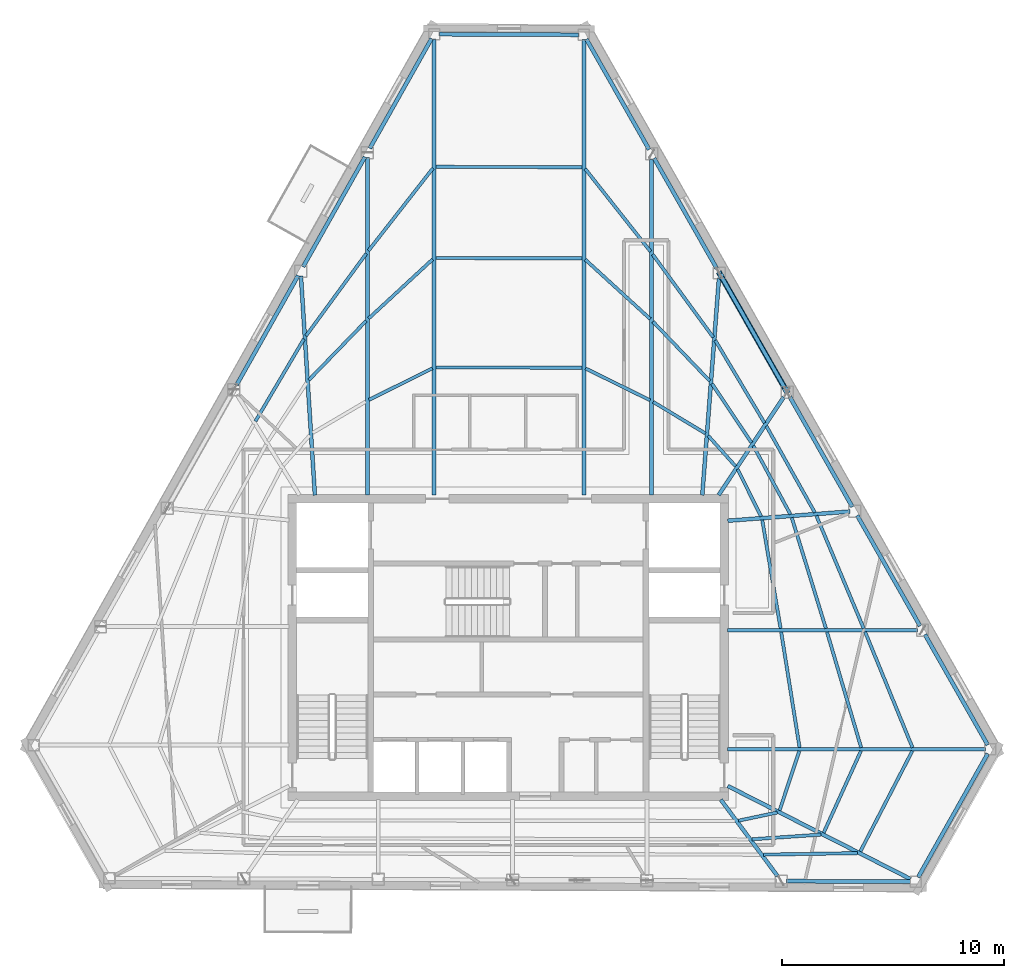
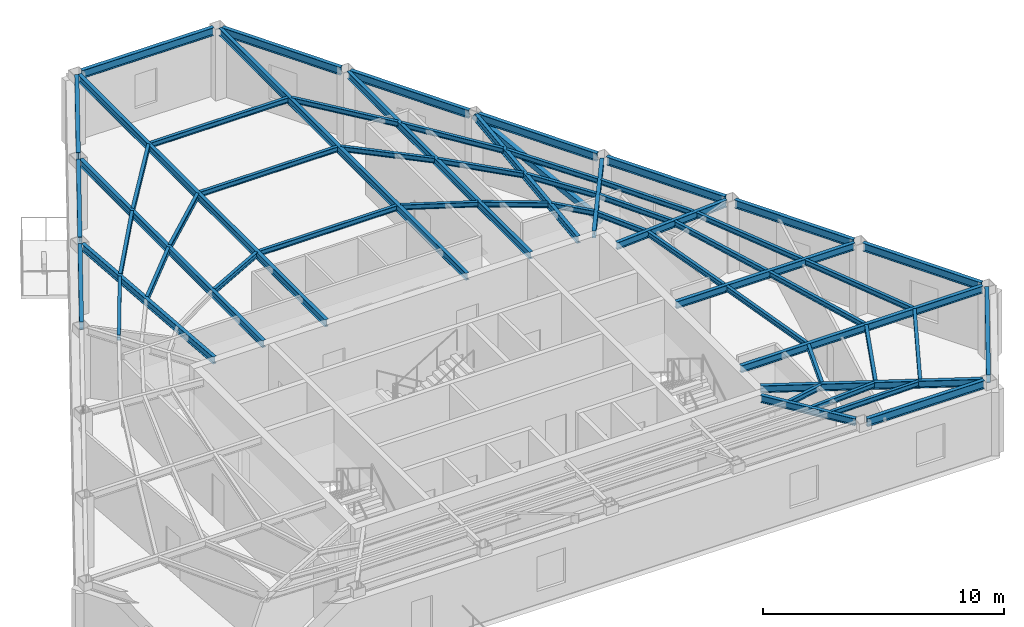
# One storey, part 2 of 10: 57 beams, 1 member.
"""IFC4 building model written with IfcOpenShell, lengths in metres."""

import ifcopenshell
import ifcopenshell.guid

model = None  # the IFC model being written
_history = None  # IfcOwnerHistory: only IFC2X3 demands one
_inside = {}  # id of a spatial element -> (the spatial element, [elements in it])
_under = {}  # id of a project, library or spatial element -> (it, [spatial elements below it])
_declared = {}  # id of a project -> (the project, [libraries it declares])
_typed = {}  # id of a type object -> (the type object, [elements of that type])
_made_of = {}  # id of a material, layer set ... -> (it, [elements and type objects made of it])


def new_model(schema):
    """Start an empty IFC model of exactly this schema.

    Asked for "IFC4X3", IfcOpenShell would pick the latest addendum, in which some entities
    have other attributes; the version numbers below select the first issue.
    IFC2X3 requires an IfcOwnerHistory on every rooted entity: one is made here for all.
    """
    global model, _history
    if schema == "IFC4X3":
        model = ifcopenshell.file(schema_version=(4, 3, 0, 0))
    else:
        model = ifcopenshell.file(schema=schema)
    _inside.clear()
    _under.clear()
    _declared.clear()
    _typed.clear()
    _made_of.clear()
    _history = None
    if model.schema == "IFC2X3":
        org = make("IfcOrganization", Name="unknown")
        user = make(
            "IfcPersonAndOrganization",
            ThePerson=make("IfcPerson", FamilyName="unknown"),
            TheOrganization=org,
        )
        app = make(
            "IfcApplication",
            ApplicationDeveloper=org,
            Version="unknown",
            ApplicationFullName="unknown",
            ApplicationIdentifier="unknown",
        )
        _history = make(
            "IfcOwnerHistory",
            OwningUser=user,
            OwningApplication=app,
            ChangeAction="ADDED",
            CreationDate=0,
        )
    return model


def make(cls, **values):
    """One entity of the class cls with the attributes given. An attribute that is None is left unset."""
    return model.create_entity(
        cls, **{name: value for name, value in values.items() if value is not None}
    )


def rooted(cls, **values):
    """An entity with a GlobalId (a new one), such as an element, a storey or a relation."""
    return make(cls, GlobalId=ifcopenshell.guid.new(), OwnerHistory=_history, **values)


def si_unit(unit_type, name, prefix=None):
    """IfcSIUnit, for example si_unit("LENGTHUNIT", "METRE", prefix="MILLI")."""
    return make("IfcSIUnit", UnitType=unit_type, Prefix=prefix, Name=name)


def assignment(units):
    """IfcUnitAssignment: the units of a project."""
    return None if units is None else make("IfcUnitAssignment", Units=units)


def point(xyz):
    """IfcCartesianPoint."""
    return None if xyz is None else make("IfcCartesianPoint", Coordinates=xyz)


def direction(xyz):
    """IfcDirection."""
    return None if xyz is None else make("IfcDirection", DirectionRatios=xyz)


def frame(location, z_axis=None, x_axis=None):
    """IfcAxis2Placement3D, a coordinate frame: its origin and axes. An axis left out is left unset."""
    return make(
        "IfcAxis2Placement3D",
        Location=point(location),
        Axis=direction(z_axis),
        RefDirection=direction(x_axis),
    )


def frame_2d(location, x_axis=None):
    """IfcAxis2Placement2D, a coordinate frame in the plane: its origin and x axis."""
    return make(
        "IfcAxis2Placement2D", Location=point(location), RefDirection=direction(x_axis)
    )


def origin():
    """The frame at (0, 0, 0) with its axes left unset."""
    return frame((0.0, 0.0, 0.0))


def origin_2d():
    """The frame at (0, 0) in the plane with its x axis left unset."""
    return frame_2d((0.0, 0.0))


def place(relative_to, where):
    """IfcLocalPlacement: puts the frame where relative to a parent placement (None: the world)."""
    return make(
        "IfcLocalPlacement", PlacementRelTo=relative_to, RelativePlacement=where
    )


def context(
    kind, dimensions, precision=None, world=None, true_north=None, identifier=None
):
    """IfcGeometricRepresentationContext, for example the 3D "Model" context."""
    return make(
        "IfcGeometricRepresentationContext",
        ContextIdentifier=identifier,
        ContextType=kind,
        CoordinateSpaceDimension=dimensions,
        Precision=precision,
        WorldCoordinateSystem=world,
        TrueNorth=true_north,
    )


def subcontext(parent, identifier, kind, view, scale=None):
    """IfcGeometricRepresentationSubContext, for example "Body" below "Model"."""
    return make(
        "IfcGeometricRepresentationSubContext",
        ContextIdentifier=identifier,
        ContextType=kind,
        ParentContext=parent,
        TargetScale=scale,
        TargetView=view,
    )


def project(units=None, contexts=None):
    """IfcProject with its units and contexts."""
    return rooted(
        "IfcProject",
        Name="project",
        RepresentationContexts=contexts,
        UnitsInContext=assignment(units),
    )


def spatial(cls, under=None, at=None, **own):
    """A site, building, storey or space (cls), placed at a placement, below another one or the project."""
    s = rooted(cls, ObjectPlacement=at, **own)
    if under is not None:
        _under.setdefault(under.id(), (under, []))[1].append(s)
    return s


def profile(cls, at=None, kind="AREA", **sizes):
    """A parametric profile (cls). Its sizes go by their IFC names, for example OverallWidth=200.0."""
    return make(cls, ProfileType=kind, Position=at, **sizes)


def hollow_rectangle(**sizes):
    """IfcRectangleHollowProfileDef."""
    return profile("IfcRectangleHollowProfileDef", **sizes)


def i_section(**sizes):
    """IfcIShapeProfileDef."""
    return profile("IfcIShapeProfileDef", **sizes)


def extrude(swept, where, along, depth):
    """IfcExtrudedAreaSolid: the profile swept, set in the frame where, extruded along a direction by depth."""
    return make(
        "IfcExtrudedAreaSolid",
        SweptArea=swept,
        Position=where,
        ExtrudedDirection=direction(along),
        Depth=depth,
    )


def shape(context_of_items, identifier, shape_type, items):
    """IfcShapeRepresentation: the items that make up one representation, for example the "Body"."""
    return make(
        "IfcShapeRepresentation",
        ContextOfItems=context_of_items,
        RepresentationIdentifier=identifier,
        RepresentationType=shape_type,
        Items=items,
    )


def material(Name=None, Category=None):
    """IfcMaterial."""
    return make("IfcMaterial", Name=Name, Category=Category)


def material_profile(
    of_material, cross_section, Name=None, Category=None, Priority=None
):
    """IfcMaterialProfile: a cross section and its material."""
    return make(
        "IfcMaterialProfile",
        Name=Name,
        Material=of_material,
        Profile=cross_section,
        Priority=Priority,
        Category=Category,
    )


def profile_set(profiles, Name=None, composite=None):
    """IfcMaterialProfileSet."""
    return make(
        "IfcMaterialProfileSet",
        Name=Name,
        MaterialProfiles=profiles,
        CompositeProfile=composite,
    )


def made_of(thing, what):
    """Note that an element or type object is made of a material, layer set ...; save() writes the relation."""
    if what is not None:
        _made_of.setdefault(what.id(), (what, []))[1].append(thing)
    return thing


def type_object(cls, material=None, **own):
    """A type object (cls), such as IfcWallType, which elements share."""
    return made_of(rooted(cls, **own), material)


def element(
    cls,
    number,
    at=None,
    inside=None,
    cuts=None,
    type_object=None,
    material=None,
    context=None,
    identifier="Body",
    shape_type=None,
    held_by="IfcProductDefinitionShape",
    body=None,
    shapes=None,
    **own,
):
    """One element of the class cls, such as IfcWall. Its Tag is "e" and its number.

    at: its placement. inside: the storey or other place that contains it. cuts: it is an
    opening in that element (IfcRelVoidsElement). A single representation is given by context,
    identifier, shape_type and body (its items); several are given by shapes. held_by: the class
    of the entity that holds the representations. save() writes the other relations.
    """
    e = rooted(cls, Tag="e%d" % number, ObjectPlacement=at, **own)
    if body is not None:
        shapes = [shape(context, identifier, shape_type, body)]
    if shapes is not None:
        e.Representation = make(held_by, Representations=shapes)
    if inside is not None:
        _inside.setdefault(inside.id(), (inside, []))[1].append(e)
    if cuts is not None:
        rooted(
            "IfcRelVoidsElement", RelatingBuildingElement=cuts, RelatedOpeningElement=e
        )
    if type_object is not None:
        _typed.setdefault(type_object.id(), (type_object, []))[1].append(e)
    return made_of(e, material)


def aggregate(whole, parts):
    """IfcRelAggregates: a whole, such as a stair, and the parts it consists of."""
    return rooted("IfcRelAggregates", RelatingObject=whole, RelatedObjects=parts)


def save(model, path):
    """Write the relations noted so far, then the file.

    IfcRelAggregates (storeys below a building ...), IfcRelContainedInSpatialStructure (elements
    in a storey), IfcRelDefinesByType, IfcRelAssociatesMaterial and IfcRelDeclares: one each for
    every whole, place, type object, material and project.
    """
    for whole, parts in _under.values():
        aggregate(whole, parts)
    for where, things in _inside.values():
        rooted(
            "IfcRelContainedInSpatialStructure",
            RelatedElements=things,
            RelatingStructure=where,
        )
    for kind, things in _typed.values():
        rooted("IfcRelDefinesByType", RelatedObjects=things, RelatingType=kind)
    for what, things in _made_of.values():
        rooted("IfcRelAssociatesMaterial", RelatedObjects=things, RelatingMaterial=what)
    for by, libraries in _declared.values():
        rooted("IfcRelDeclares", RelatingContext=by, RelatedDefinitions=libraries)
    model.write(path)


model = new_model("IFC4")

# Units and contexts
model_context = context("Model", 3, precision=1e-05, world=origin(), true_north=direction((0.0, 1.0)))
body_context = subcontext(model_context, "Body", "Model", "MODEL_VIEW")
ifc_project = project(units=[si_unit("LENGTHUNIT", "METRE"), si_unit("AREAUNIT", "SQUARE_METRE"), si_unit("VOLUMEUNIT", "CUBIC_METRE"), si_unit("PLANEANGLEUNIT", "RADIAN"), si_unit("MASSUNIT", "GRAM", prefix="KILO")], contexts=[model_context])

# Site, building, storey
site_placement = place(None, origin())
site = spatial("IfcSite", under=ifc_project, at=site_placement, CompositionType="ELEMENT")
building_placement = place(site_placement, origin())
building = spatial("IfcBuilding", under=site, at=building_placement, Name="Kavelnor Concourse Tower", CompositionType="ELEMENT")
storey_placement = place(building_placement, frame((0.0, 0.0, 239.5)))
storey = spatial("IfcBuildingStorey", under=building, at=storey_placement, Name="L60", CompositionType="ELEMENT", Elevation=239.5)

# Beams
ifc_material = material(Name="Steel Grade 350", Category="steel")
ifc_material_profile_1 = material_profile(ifc_material, i_section(OverallWidth=0.14599609375, OverallDepth=0.256103515625, WebThickness=0.00634765625, FlangeThickness=0.010986328125, at=origin_2d()), Name="250UB37")
ifc_profile_set_1 = profile_set([ifc_material_profile_1], Name="Steel Grade 350")
beam_type_1 = type_object("IfcBeamType", Name="BM-JOIST-250", PredefinedType="JOIST", material=ifc_profile_set_1)
beam_1_placement = place(storey_placement, frame((48.34228515625, 8.30810546875, 3.48193359375), z_axis=(0.978282973244, 0.207273790578, 0.0), x_axis=(-0.207273790578, 0.978282973244, 0.0)))
element("IfcBeam", 1, at=beam_1_placement, inside=storey, type_object=beam_type_1, Name="L60 Secondary Composite Joist 07-1", PredefinedType="JOIST", context=body_context, shape_type="SweptSolid", body=[
    extrude(i_section(OverallWidth=0.14599609375, OverallDepth=0.256103515625, WebThickness=0.00634765625, FlangeThickness=0.010986328125, at=origin_2d()), origin(), (0.0, 0.0, 1.0), 1.7822265625),
])
beam_2_placement = place(storey_placement, frame((48.956298828125, 7.472900390625, 3.48193359375), z_axis=(0.997688536925, 0.067952801924, 0.0), x_axis=(-0.067952801924, 0.997688536925, 0.0)))
element("IfcBeam", 2, at=beam_2_placement, inside=storey, type_object=beam_type_1, Name="L60 Secondary Composite Joist 07-2", PredefinedType="JOIST", context=body_context, shape_type="SweptSolid", body=[
    extrude(i_section(OverallWidth=0.14599609375, OverallDepth=0.256103515625, WebThickness=0.00634765625, FlangeThickness=0.010986328125, at=origin_2d()), origin(), (0.0, 0.0, 1.0), 3.107666015625),
])
beam_3_placement = place(storey_placement, frame((49.466796875, 6.7822265625, 3.48193359375), z_axis=(0.999866890912, 0.016315650702, 0.0), x_axis=(-0.016315650702, 0.999866890912, 0.0)))
element("IfcBeam", 3, at=beam_3_placement, inside=storey, type_object=beam_type_1, Name="L60 Secondary Composite Joist 07-3", PredefinedType="JOIST", context=body_context, shape_type="SweptSolid", body=[
    extrude(i_section(OverallWidth=0.14599609375, OverallDepth=0.256103515625, WebThickness=0.00634765625, FlangeThickness=0.010986328125, at=origin_2d()), origin(), (0.0, 0.0, 1.0), 4.234619140625),
])
beam_4_placement = place(storey_placement, frame((50.19189453125, 8.772216796875, 3.48193359375), z_axis=(0.314767800506, 0.949168705639, 0.0), x_axis=(-0.949168705639, 0.314767800506, 0.0)))
element("IfcBeam", 4, at=beam_4_placement, inside=storey, type_object=beam_type_1, Name="L60 Secondary Composite Joist 08-1", PredefinedType="JOIST", context=body_context, shape_type="SweptSolid", body=[
    extrude(i_section(OverallWidth=0.14599609375, OverallDepth=0.256103515625, WebThickness=0.00634765625, FlangeThickness=0.010986328125, at=origin_2d()), origin(), (0.0, 0.0, 1.0), 2.81005859375),
])
beam_5_placement = place(storey_placement, frame((52.1728515625, 7.764404296875, 3.48193359375), z_axis=(0.414344482157, 0.910120129492, 0.0), x_axis=(-0.910120129492, 0.414344482157, 0.0)))
element("IfcBeam", 5, at=beam_5_placement, inside=storey, type_object=beam_type_1, Name="L60 Secondary Composite Joist 08-2", PredefinedType="JOIST", context=body_context, shape_type="SweptSolid", body=[
    extrude(i_section(OverallWidth=0.14599609375, OverallDepth=0.256103515625, WebThickness=0.00634765625, FlangeThickness=0.010986328125, at=origin_2d()), origin(), (0.0, 0.0, 1.0), 4.04150390625),
])
beam_6_placement = place(storey_placement, frame((53.820556640625, 6.92529296875, 3.48193359375), z_axis=(0.459625213918, 0.888112978585, 0.0), x_axis=(-0.888112978585, 0.459625213918, 0.0)))
element("IfcBeam", 6, at=beam_6_placement, inside=storey, type_object=beam_type_1, Name="L60 Secondary Composite Joist 08-3", PredefinedType="JOIST", context=body_context, shape_type="SweptSolid", body=[
    extrude(i_section(OverallWidth=0.14599609375, OverallDepth=0.256103515625, WebThickness=0.00634765625, FlangeThickness=0.010986328125, at=origin_2d()), origin(), (0.0, 0.0, 1.0), 5.088623046875),
])
beam_7_placement = place(storey_placement, frame((51.08935546875, 11.598388671875, 3.48193359375), z_axis=(-0.157255053828, 0.987558022622, 0.0), x_axis=(-0.987558022622, -0.157255053828, 0.0)))
element("IfcBeam", 7, at=beam_7_placement, inside=storey, type_object=beam_type_1, Name="L60 Secondary Composite Joist 09-1", PredefinedType="JOIST", context=body_context, shape_type="SweptSolid", body=[
    extrude(i_section(OverallWidth=0.14599609375, OverallDepth=0.256103515625, WebThickness=0.00634765625, FlangeThickness=0.010986328125, at=origin_2d()), origin(), (0.0, 0.0, 1.0), 5.2568359375),
])
beam_8_placement = place(storey_placement, frame((53.858154296875, 11.595947265625, 3.48193359375), z_axis=(-0.283546742293, 0.958958416687, 0.0), x_axis=(-0.958958416687, -0.283546742293, 0.0)))
element("IfcBeam", 8, at=beam_8_placement, inside=storey, type_object=beam_type_1, Name="L60 Secondary Composite Joist 09-2", PredefinedType="JOIST", context=body_context, shape_type="SweptSolid", body=[
    extrude(i_section(OverallWidth=0.14599609375, OverallDepth=0.256103515625, WebThickness=0.00634765625, FlangeThickness=0.010986328125, at=origin_2d()), origin(), (0.0, 0.0, 1.0), 5.41845703125),
])
beam_9_placement = place(storey_placement, frame((56.166259765625, 11.59326171875, 3.48193359375), z_axis=(-0.378889909159, 0.925441752212, 0.0), x_axis=(-0.925441752212, -0.378889909159, 0.0)))
element("IfcBeam", 9, at=beam_9_placement, inside=storey, type_object=beam_type_1, Name="L60 Secondary Composite Joist 09-3", PredefinedType="JOIST", context=body_context, shape_type="SweptSolid", body=[
    extrude(i_section(OverallWidth=0.14599609375, OverallDepth=0.256103515625, WebThickness=0.00634765625, FlangeThickness=0.010986328125, at=origin_2d()), origin(), (0.0, 0.0, 1.0), 5.620849609375),
])
beam_10_placement = place(storey_placement, frame((50.236328125, 16.95166015625, 3.48193359375), z_axis=(-0.166783742421, 0.98599350062, 0.0), x_axis=(-0.98599350062, -0.166783742421, 0.0)))
element("IfcBeam", 10, at=beam_10_placement, inside=storey, type_object=beam_type_1, Name="L60 Secondary Composite Joist 10-1", PredefinedType="JOIST", context=body_context, shape_type="SweptSolid", body=[
    extrude(i_section(OverallWidth=0.14599609375, OverallDepth=0.256103515625, WebThickness=0.00634765625, FlangeThickness=0.010986328125, at=origin_2d()), origin(), (0.0, 0.0, 1.0), 4.9462890625),
])
beam_11_placement = place(storey_placement, frame((52.2744140625, 16.94921875, 3.48193359375), z_axis=(-0.294434722148, 0.95567159338, 0.0), x_axis=(-0.95567159338, -0.294434722148, 0.0)))
element("IfcBeam", 11, at=beam_11_placement, inside=storey, type_object=beam_type_1, Name="L60 Secondary Composite Joist 10-2", PredefinedType="JOIST", context=body_context, shape_type="SweptSolid", body=[
    extrude(i_section(OverallWidth=0.14599609375, OverallDepth=0.256103515625, WebThickness=0.00634765625, FlangeThickness=0.010986328125, at=origin_2d()), origin(), (0.0, 0.0, 1.0), 5.212158203125),
])
beam_12_placement = place(storey_placement, frame((53.973876953125, 16.9462890625, 3.48193359375), z_axis=(-0.387054324651, 0.922056912435, 0.0), x_axis=(-0.922056912435, -0.387054324651, 0.0)))
element("IfcBeam", 12, at=beam_12_placement, inside=storey, type_object=beam_type_1, Name="L60 Secondary Composite Joist 10-3", PredefinedType="JOIST", context=body_context, shape_type="SweptSolid", body=[
    extrude(i_section(OverallWidth=0.14599609375, OverallDepth=0.256103515625, WebThickness=0.00634765625, FlangeThickness=0.010986328125, at=origin_2d()), origin(), (0.0, 0.0, 1.0), 5.498291015625),
])
beam_13_placement = place(storey_placement, frame((49.361083984375, 21.98291015625, 3.48193359375), z_axis=(-0.445235964692, 0.895413276507, 0.0), x_axis=(-0.895413276507, -0.445235964692, 0.0)))
element("IfcBeam", 13, at=beam_13_placement, inside=storey, type_object=beam_type_1, Name="L60 Secondary Composite Joist 11-1", PredefinedType="JOIST", context=body_context, shape_type="SweptSolid", body=[
    extrude(i_section(OverallWidth=0.14599609375, OverallDepth=0.256103515625, WebThickness=0.00634765625, FlangeThickness=0.010986328125, at=origin_2d()), origin(), (0.0, 0.0, 1.0), 2.37158203125),
])
beam_14_placement = place(storey_placement, frame((50.676513671875, 22.080810546875, 3.48193359375), z_axis=(-0.475295586353, 0.879826179193, 0.0), x_axis=(-0.879826179193, -0.475295586353, 0.0)))
element("IfcBeam", 14, at=beam_14_placement, inside=storey, type_object=beam_type_1, Name="L60 Secondary Composite Joist 11-2", PredefinedType="JOIST", context=body_context, shape_type="SweptSolid", body=[
    extrude(i_section(OverallWidth=0.14599609375, OverallDepth=0.256103515625, WebThickness=0.00634765625, FlangeThickness=0.010986328125, at=origin_2d()), origin(), (0.0, 0.0, 1.0), 3.505126953125),
])
beam_15_placement = place(storey_placement, frame((51.773681640625, 22.1630859375, 3.48193359375), z_axis=(-0.488945696815, 0.872314224099, 0.0), x_axis=(-0.872314224099, -0.488945696815, 0.0)))
element("IfcBeam", 15, at=beam_15_placement, inside=storey, type_object=beam_type_1, Name="L60 Secondary Composite Joist 11-3", PredefinedType="JOIST", context=body_context, shape_type="SweptSolid", body=[
    extrude(i_section(OverallWidth=0.14599609375, OverallDepth=0.256103515625, WebThickness=0.00634765625, FlangeThickness=0.010986328125, at=origin_2d()), origin(), (0.0, 0.0, 1.0), 4.451416015625),
])
beam_16_placement = place(storey_placement, frame((48.2138671875, 24.240966796875, 3.48193359375), z_axis=(-0.667999877044, 0.744161383215, 0.0), x_axis=(-0.744161383215, -0.667999877044, 0.0)))
element("IfcBeam", 16, at=beam_16_placement, inside=storey, type_object=beam_type_1, Name="L60 Secondary Composite Joist 12-1", PredefinedType="JOIST", context=body_context, shape_type="SweptSolid", body=[
    extrude(i_section(OverallWidth=0.14599609375, OverallDepth=0.256103515625, WebThickness=0.00634765625, FlangeThickness=0.010986328125, at=origin_2d()), origin(), (0.0, 0.0, 1.0), 1.846435546875),
])
beam_17_placement = place(storey_placement, frame((48.92578125, 25.304931640625, 3.48193359375), z_axis=(-0.556660822661, 0.830739868138, 0.0), x_axis=(-0.830739868138, -0.556660822661, 0.0)))
element("IfcBeam", 17, at=beam_17_placement, inside=storey, type_object=beam_type_1, Name="L60 Secondary Composite Joist 12-2", PredefinedType="JOIST", context=body_context, shape_type="SweptSolid", body=[
    extrude(i_section(OverallWidth=0.14599609375, OverallDepth=0.256103515625, WebThickness=0.00634765625, FlangeThickness=0.010986328125, at=origin_2d()), origin(), (0.0, 0.0, 1.0), 3.187255859375),
])
beam_18_placement = place(storey_placement, frame((49.514892578125, 26.18798828125, 3.48193359375), z_axis=(-0.512220626716, 0.85885390467, 0.0), x_axis=(-0.85885390467, -0.512220626716, 0.0)))
element("IfcBeam", 18, at=beam_18_placement, inside=storey, type_object=beam_type_1, Name="L60 Secondary Composite Joist 12-3", PredefinedType="JOIST", context=body_context, shape_type="SweptSolid", body=[
    extrude(i_section(OverallWidth=0.14599609375, OverallDepth=0.256103515625, WebThickness=0.00634765625, FlangeThickness=0.010986328125, at=origin_2d()), origin(), (0.0, 0.0, 1.0), 4.327392578125),
])
beam_19_placement = place(storey_placement, frame((46.85546875, 25.71826171875, 3.48193359375), z_axis=(-0.856382024756, 0.516342742445, 0.0), x_axis=(-0.516342742445, -0.856382024756, 0.0)))
element("IfcBeam", 19, at=beam_19_placement, inside=storey, type_object=beam_type_1, Name="L60 Secondary Composite Joist 13-1", PredefinedType="JOIST", context=body_context, shape_type="SweptSolid", body=[
    extrude(i_section(OverallWidth=0.14599609375, OverallDepth=0.256103515625, WebThickness=0.00634765625, FlangeThickness=0.010986328125, at=origin_2d()), origin(), (0.0, 0.0, 1.0), 2.739013671875),
])
beam_20_placement = place(storey_placement, frame((47.04931640625, 28.080078125, 3.48193359375), z_axis=(-0.691728623725, 0.722157538989, 0.0), x_axis=(-0.722157538989, -0.691728623725, 0.0)))
element("IfcBeam", 20, at=beam_20_placement, inside=storey, type_object=beam_type_1, Name="L60 Secondary Composite Joist 13-2", PredefinedType="JOIST", context=body_context, shape_type="SweptSolid", body=[
    extrude(i_section(OverallWidth=0.14599609375, OverallDepth=0.256103515625, WebThickness=0.00634765625, FlangeThickness=0.010986328125, at=origin_2d()), origin(), (0.0, 0.0, 1.0), 3.690673828125),
])
beam_21_placement = place(storey_placement, frame((47.2080078125, 30.041259765625, 3.48193359375), z_axis=(-0.590031195474, 0.807380448344, 0.0), x_axis=(-0.807380448344, -0.590031195474, 0.0)))
element("IfcBeam", 21, at=beam_21_placement, inside=storey, type_object=beam_type_1, Name="L60 Secondary Composite Joist 13-3", PredefinedType="JOIST", context=body_context, shape_type="SweptSolid", body=[
    extrude(i_section(OverallWidth=0.14599609375, OverallDepth=0.256103515625, WebThickness=0.00634765625, FlangeThickness=0.010986328125, at=origin_2d()), origin(), (0.0, 0.0, 1.0), 4.60986328125),
])
beam_22_placement = place(storey_placement, frame((44.365966796875, 27.2109375, 3.48193359375), z_axis=(-0.897117660177, 0.441791697296, 0.0), x_axis=(-0.441791697296, -0.897117660177, 0.0)))
element("IfcBeam", 22, at=beam_22_placement, inside=storey, type_object=beam_type_1, Name="L60 Secondary Composite Joist 14-1", PredefinedType="JOIST", context=body_context, shape_type="SweptSolid", body=[
    extrude(i_section(OverallWidth=0.14599609375, OverallDepth=0.256103515625, WebThickness=0.00634765625, FlangeThickness=0.010986328125, at=origin_2d()), origin(), (0.0, 0.0, 1.0), 3.22900390625),
])
beam_23_placement = place(storey_placement, frame((44.379150390625, 30.860107421875, 3.48193359375), z_axis=(-0.737959526629, 0.67484497261, 0.0), x_axis=(-0.67484497261, -0.737959526629, 0.0)))
element("IfcBeam", 23, at=beam_23_placement, inside=storey, type_object=beam_type_1, Name="L60 Secondary Composite Joist 14-2", PredefinedType="JOIST", context=body_context, shape_type="SweptSolid", body=[
    extrude(i_section(OverallWidth=0.14599609375, OverallDepth=0.256103515625, WebThickness=0.00634765625, FlangeThickness=0.010986328125, at=origin_2d()), origin(), (0.0, 0.0, 1.0), 3.9609375),
])
beam_24_placement = place(storey_placement, frame((44.388916015625, 33.893798828125, 3.48193359375), z_axis=(-0.619797667292, 0.784761652745, 0.0), x_axis=(-0.784761652745, -0.619797667292, 0.0)))
element("IfcBeam", 24, at=beam_24_placement, inside=storey, type_object=beam_type_1, Name="L60 Secondary Composite Joist 14-3", PredefinedType="JOIST", context=body_context, shape_type="SweptSolid", body=[
    extrude(i_section(OverallWidth=0.14599609375, OverallDepth=0.256103515625, WebThickness=0.00634765625, FlangeThickness=0.010986328125, at=origin_2d()), origin(), (0.0, 0.0, 1.0), 4.747802734375),
])
for number, where, z_axis, x_axis, name in (
    (25, (41.313720703125, 28.673828125, 3.48193359375), (-0.999999293856, 0.001188397423, 0.0), (-0.001188397423, -0.999999293856, 0.0), "L60 Secondary Composite Joist 15-1"),
    (26, (41.313720703125, 33.588623046875, 3.48193359375), (-0.999997599529, 0.002191104036, 0.0), (-0.002191104036, -0.999997599529, 0.0), "L60 Secondary Composite Joist 15-2"),
    (27, (41.313720703125, 37.68408203125, 3.48193359375), (-0.999995363196, 0.003045256426, 0.0), (-0.003045256426, -0.999995363196, 0.0), "L60 Secondary Composite Joist 15-3"),
):
    element("IfcBeam", number, at=place(storey_placement, frame(where, z_axis=z_axis, x_axis=x_axis)), inside=storey, type_object=beam_type_1, Name=name, PredefinedType="JOIST", context=body_context, shape_type="SweptSolid", body=[
        extrude(i_section(OverallWidth=0.14599609375, OverallDepth=0.256103515625, WebThickness=0.00634765625, FlangeThickness=0.010986328125, at=origin_2d()), origin(), (0.0, 0.0, 1.0), 6.573974609375),
    ])
beam_25_placement = place(storey_placement, frame((34.584228515625, 28.645263671875, 3.48193359375), z_axis=(-0.895390775922, -0.445281212711, 0.0), x_axis=(0.445281212711, -0.895390775922, 0.0)))
element("IfcBeam", 28, at=beam_25_placement, inside=storey, type_object=beam_type_1, Name="L60 Secondary Composite Joist 16-1", PredefinedType="JOIST", context=body_context, shape_type="SweptSolid", body=[
    extrude(i_section(OverallWidth=0.14599609375, OverallDepth=0.256103515625, WebThickness=0.00634765625, FlangeThickness=0.010986328125, at=origin_2d()), origin(), (0.0, 0.0, 1.0), 3.185546875),
])
beam_26_placement = place(storey_placement, frame((34.597412109375, 33.547607421875, 3.48193359375), z_axis=(-0.734617104443, -0.678481915646, 0.0), x_axis=(0.678481915646, -0.734617104443, 0.0)))
element("IfcBeam", 29, at=beam_26_placement, inside=storey, type_object=beam_type_1, Name="L60 Secondary Composite Joist 16-2", PredefinedType="JOIST", context=body_context, shape_type="SweptSolid", body=[
    extrude(i_section(OverallWidth=0.14599609375, OverallDepth=0.256103515625, WebThickness=0.00634765625, FlangeThickness=0.010986328125, at=origin_2d()), origin(), (0.0, 0.0, 1.0), 3.918701171875),
])
beam_27_placement = place(storey_placement, frame((34.607177734375, 37.639892578125, 3.48193359375), z_axis=(-0.616018581895, -0.787731621023, 0.0), x_axis=(0.787731621023, -0.616018581895, 0.0)))
element("IfcBeam", 30, at=beam_27_placement, inside=storey, type_object=beam_type_1, Name="L60 Secondary Composite Joist 16-3", PredefinedType="JOIST", context=body_context, shape_type="SweptSolid", body=[
    extrude(i_section(OverallWidth=0.14599609375, OverallDepth=0.256103515625, WebThickness=0.00634765625, FlangeThickness=0.010986328125, at=origin_2d()), origin(), (0.0, 0.0, 1.0), 4.704833984375),
])
beam_28_placement = place(storey_placement, frame((31.601318359375, 30.7744140625, 3.48193359375), z_axis=(-0.695845307236, -0.71819169335, 0.0), x_axis=(0.71819169335, -0.695845307236, 0.0)))
element("IfcBeam", 31, at=beam_28_placement, inside=storey, type_object=beam_type_1, Name="L60 Secondary Composite Joist 17-2", PredefinedType="JOIST", context=body_context, shape_type="SweptSolid", body=[
    extrude(i_section(OverallWidth=0.14599609375, OverallDepth=0.256103515625, WebThickness=0.00634765625, FlangeThickness=0.010986328125, at=origin_2d()), origin(), (0.0, 0.0, 1.0), 3.692626953125),
])
beam_29_placement = place(storey_placement, frame((31.610107421875, 33.802978515625, 3.48193359375), z_axis=(-0.590966991219, -0.806695738981, 0.0), x_axis=(0.806695738981, -0.590966991219, 0.0)))
element("IfcBeam", 32, at=beam_29_placement, inside=storey, type_object=beam_type_1, Name="L60 Secondary Composite Joist 17-3", PredefinedType="JOIST", context=body_context, shape_type="SweptSolid", body=[
    extrude(i_section(OverallWidth=0.14599609375, OverallDepth=0.256103515625, WebThickness=0.00634765625, FlangeThickness=0.010986328125, at=origin_2d()), origin(), (0.0, 0.0, 1.0), 4.590087890625),
])
beam_30_placement = place(storey_placement, frame((28.807373046875, 29.963134765625, 3.48193359375), z_axis=(-0.507929819998, -0.861398454815, 0.0), x_axis=(0.861398454815, -0.507929819998, 0.0)))
element("IfcBeam", 33, at=beam_30_placement, inside=storey, type_object=beam_type_1, Name="L60 Secondary Composite Joist 18-3", PredefinedType="JOIST", context=body_context, shape_type="SweptSolid", body=[
    extrude(i_section(OverallWidth=0.14599609375, OverallDepth=0.256103515625, WebThickness=0.00634765625, FlangeThickness=0.010986328125, at=origin_2d()), origin(), (0.0, 0.0, 1.0), 4.291259765625),
])
ifc_material_profile_2 = material_profile(ifc_material, i_section(OverallWidth=0.172119140625, OverallDepth=0.35888671875, WebThickness=0.008056640625, FlangeThickness=0.012939453125, at=origin_2d()), Name="360UB56")
ifc_profile_set_2 = profile_set([ifc_material_profile_2], Name="Steel Grade 350")
beam_type_2 = type_object("IfcBeamType", Name="BM-PRIMARY-360", PredefinedType="BEAM", material=ifc_profile_set_2)
beam_31_placement = place(storey_placement, frame((34.65771484375, 22.93994140625, 3.430419921875), z_axis=(0.0, 1.0, 0.0), x_axis=(-1.0, 0.0, 0.0)))
element("IfcBeam", 34, at=beam_31_placement, inside=storey, type_object=beam_type_2, Name="L60 Primary Floor Girder F0-B0", PredefinedType="BEAM", context=body_context, shape_type="SweptSolid", body=[
    extrude(i_section(OverallWidth=0.172119140625, OverallDepth=0.35888671875, WebThickness=0.008056640625, FlangeThickness=0.012939453125, at=origin_2d()), origin(), (0.0, 0.0, 1.0), 20.506103515625),
])
beam_32_placement = place(storey_placement, frame((31.658447265625, 22.93994140625, 3.430419921875), z_axis=(0.0, 1.0, 0.0), x_axis=(-1.0, 0.0, 0.0)))
element("IfcBeam", 35, at=beam_32_placement, inside=storey, type_object=beam_type_2, Name="L60 Primary Floor Girder F0-B1", PredefinedType="BEAM", context=body_context, shape_type="SweptSolid", body=[
    extrude(i_section(OverallWidth=0.172119140625, OverallDepth=0.35888671875, WebThickness=0.008056640625, FlangeThickness=0.012939453125, at=origin_2d()), origin(), (0.0, 0.0, 1.0), 15.179443359375),
])
beam_33_placement = place(storey_placement, frame((29.301025390625, 22.940185546875, 3.430419921875), z_axis=(-0.063580674044, 0.997976702077, 0.0), x_axis=(-0.997976702077, -0.063580674044, 0.0)))
element("IfcBeam", 36, at=beam_33_placement, inside=storey, type_object=beam_type_2, Name="L60 Primary Floor Girder F0-B2", PredefinedType="BEAM", context=body_context, shape_type="SweptSolid", body=[
    extrude(i_section(OverallWidth=0.172119140625, OverallDepth=0.35888671875, WebThickness=0.008056640625, FlangeThickness=0.012939453125, at=origin_2d()), origin(), (0.0, 0.0, 1.0), 9.872314453125),
])
beam_34_placement = place(storey_placement, frame((47.547607421875, 9.252197265625, 3.430419921875), z_axis=(0.596587769962, -0.802547838283, 0.0), x_axis=(0.802547838283, 0.596587769962, 0.0)))
element("IfcBeam", 37, at=beam_34_placement, inside=storey, type_object=beam_type_2, Name="L60 Primary Floor Girder F1-B5", PredefinedType="BEAM", context=body_context, shape_type="SweptSolid", body=[
    extrude(i_section(OverallWidth=0.172119140625, OverallDepth=0.35888671875, WebThickness=0.008056640625, FlangeThickness=0.012939453125, at=origin_2d()), origin(), (0.0, 0.0, 1.0), 4.27685546875),
])
beam_35_placement = place(storey_placement, frame((47.864501953125, 9.866455078125, 3.430419921875), z_axis=(0.891115832961, -0.453775905317, 0.0), x_axis=(0.453775905317, 0.891115832961, 0.0)))
element("IfcBeam", 38, at=beam_35_placement, inside=storey, type_object=beam_type_2, Name="L60 Primary Floor Girder F1-B6", PredefinedType="BEAM", context=body_context, shape_type="SweptSolid", body=[
    extrude(i_section(OverallWidth=0.172119140625, OverallDepth=0.35888671875, WebThickness=0.008056640625, FlangeThickness=0.012939453125, at=origin_2d()), origin(), (0.0, 0.0, 1.0), 9.224365234375),
])
beam_36_placement = place(storey_placement, frame((47.860107421875, 11.517333984375, 3.430419921875), z_axis=(1.0, 0.0, 0.0), x_axis=(0.0, 1.0, 0.0)))
element("IfcBeam", 39, at=beam_36_placement, inside=storey, type_object=beam_type_2, Name="L60 Primary Floor Girder F2-B0", PredefinedType="BEAM", context=body_context, shape_type="SweptSolid", body=[
    extrude(i_section(OverallWidth=0.172119140625, OverallDepth=0.35888671875, WebThickness=0.008056640625, FlangeThickness=0.012939453125, at=origin_2d()), origin(), (0.0, 0.0, 1.0), 11.579345703125),
])
beam_37_placement = place(storey_placement, frame((47.860107421875, 16.87060546875, 3.430419921875), z_axis=(1.0, 0.0, 0.0), x_axis=(0.0, 1.0, 0.0)))
element("IfcBeam", 40, at=beam_37_placement, inside=storey, type_object=beam_type_2, Name="L60 Primary Floor Girder F2-B1", PredefinedType="BEAM", context=body_context, shape_type="SweptSolid", body=[
    extrude(i_section(OverallWidth=0.172119140625, OverallDepth=0.35888671875, WebThickness=0.008056640625, FlangeThickness=0.012939453125, at=origin_2d()), origin(), (0.0, 0.0, 1.0), 8.535400390625),
])
beam_38_placement = place(storey_placement, frame((47.860107421875, 21.79345703125, 3.430419921875), z_axis=(0.997169140215, 0.075191128481, 0.0), x_axis=(-0.075191128481, 0.997169140215, 0.0)))
element("IfcBeam", 41, at=beam_38_placement, inside=storey, type_object=beam_type_2, Name="L60 Primary Floor Girder F2-B2", PredefinedType="BEAM", context=body_context, shape_type="SweptSolid", body=[
    extrude(i_section(OverallWidth=0.172119140625, OverallDepth=0.35888671875, WebThickness=0.008056640625, FlangeThickness=0.012939453125, at=origin_2d()), origin(), (0.0, 0.0, 1.0), 5.5068359375),
])
beam_39_placement = place(storey_placement, frame((47.44873046875, 22.94677734375, 3.430419921875), z_axis=(0.55367709279, 0.832731455464, 0.0), x_axis=(-0.832731455464, 0.55367709279, 0.0)))
element("IfcBeam", 42, at=beam_39_placement, inside=storey, type_object=beam_type_2, Name="L60 Primary Floor Girder F2-B3", PredefinedType="BEAM", context=body_context, shape_type="SweptSolid", body=[
    extrude(i_section(OverallWidth=0.172119140625, OverallDepth=0.35888671875, WebThickness=0.008056640625, FlangeThickness=0.012939453125, at=origin_2d()), origin(), (0.0, 0.0, 1.0), 5.28857421875),
])
beam_40_placement = place(storey_placement, frame((46.71533203125, 22.940185546875, 3.430419921875), z_axis=(0.076685067784, 0.997055364751, 0.0), x_axis=(-0.997055364751, 0.076685067784, 0.0)))
element("IfcBeam", 43, at=beam_40_placement, inside=storey, type_object=beam_type_2, Name="L60 Primary Floor Girder F2-B4", PredefinedType="BEAM", context=body_context, shape_type="SweptSolid", body=[
    extrude(i_section(OverallWidth=0.172119140625, OverallDepth=0.35888671875, WebThickness=0.008056640625, FlangeThickness=0.012939453125, at=origin_2d()), origin(), (0.0, 0.0, 1.0), 9.79931640625),
])
beam_41_placement = place(storey_placement, frame((44.439697265625, 22.93994140625, 3.430419921875), z_axis=(0.0, 1.0, 0.0), x_axis=(-1.0, 0.0, 0.0)))
element("IfcBeam", 44, at=beam_41_placement, inside=storey, type_object=beam_type_2, Name="L60 Primary Floor Girder F2-B5", PredefinedType="BEAM", context=body_context, shape_type="SweptSolid", body=[
    extrude(i_section(OverallWidth=0.172119140625, OverallDepth=0.35888671875, WebThickness=0.008056640625, FlangeThickness=0.012939453125, at=origin_2d()), origin(), (0.0, 0.0, 1.0), 15.124267578125),
])
beam_42_placement = place(storey_placement, frame((41.3955078125, 22.93994140625, 3.430419921875), z_axis=(0.0, 1.0, 0.0), x_axis=(-1.0, 0.0, 0.0)))
element("IfcBeam", 45, at=beam_42_placement, inside=storey, type_object=beam_type_2, Name="L60 Primary Floor Girder F2-B6", PredefinedType="BEAM", context=body_context, shape_type="SweptSolid", body=[
    extrude(i_section(OverallWidth=0.172119140625, OverallDepth=0.35888671875, WebThickness=0.008056640625, FlangeThickness=0.012939453125, at=origin_2d()), origin(), (0.0, 0.0, 1.0), 20.477783203125),
])
ifc_material_profile_3 = material_profile(ifc_material, i_section(OverallWidth=0.177978515625, OverallDepth=0.406005859375, WebThickness=0.0078125, FlangeThickness=0.0126953125, at=origin_2d()), Name="410UB59")
ifc_profile_set_3 = profile_set([ifc_material_profile_3], Name="Steel Grade 350")
beam_type_3 = type_object("IfcBeamType", Name="BM-SPANDREL-Z4", PredefinedType="SPANDREL", material=ifc_profile_set_3)
beam_43_placement = place(storey_placement, frame((34.54736328125, 43.469970703125, 3.406982421875), z_axis=(-0.490645992472, -0.871359001831, 0.0), x_axis=(0.871359001831, -0.490645992472, 0.0)))
element("IfcBeam", 46, at=beam_43_placement, inside=storey, type_object=beam_type_3, Name="L60 Perimeter Tube Spandrel Beam F0-B0", PredefinedType="SPANDREL", context=body_context, shape_type="SweptSolid", body=[
    extrude(i_section(OverallWidth=0.177978515625, OverallDepth=0.406005859375, WebThickness=0.0078125, FlangeThickness=0.0126953125, at=origin_2d()), origin(), (0.0, 0.0, 1.0), 5.6630859375),
])
for number, where, z_axis, x_axis, name in (
    (47, (31.548095703125, 38.143310546875, 3.406982421875), (-0.490613258714, -0.871377432789, 0.0), (0.871377432789, -0.490613258714, 0.0), "L60 Perimeter Tube Spandrel Beam F0-B1"),
    (48, (28.548828125, 32.81640625, 3.406982421875), (-0.49063169003, -0.871367055114, 0.0), (0.871367055114, -0.49063169003, 0.0), "L60 Perimeter Tube Spandrel Beam F0-B2"),
):
    element("IfcBeam", number, at=place(storey_placement, frame(where, z_axis=z_axis, x_axis=x_axis)), inside=storey, type_object=beam_type_3, Name=name, PredefinedType="SPANDREL", context=body_context, shape_type="SweptSolid", body=[
        extrude(i_section(OverallWidth=0.177978515625, OverallDepth=0.406005859375, WebThickness=0.0078125, FlangeThickness=0.0126953125, at=origin_2d()), origin(), (0.0, 0.0, 1.0), 5.662841796875),
    ])
beam_44_placement = place(storey_placement, frame((41.170654296875, 43.638671875, 3.406982421875), z_axis=(-0.999991044413, 0.004232150023, 0.0), x_axis=(-0.004232150023, -0.999991044413, 0.0)))
element("IfcBeam", 49, at=beam_44_placement, inside=storey, type_object=beam_type_3, Name="L60 Chamfer Facet Spandrel Beam C0", PredefinedType="SPANDREL", context=body_context, shape_type="SweptSolid", body=[
    extrude(i_section(OverallWidth=0.177978515625, OverallDepth=0.406005859375, WebThickness=0.0078125, FlangeThickness=0.0126953125, at=origin_2d()), origin(), (0.0, 0.0, 1.0), 6.287841796875),
])
beam_45_placement = place(storey_placement, frame((50.493408203125, 5.591064453125, 3.406982421875), z_axis=(0.999991028303, -0.004235954834, 0.0), x_axis=(0.004235954834, 0.999991028303, 0.0)))
element("IfcBeam", 50, at=beam_45_placement, inside=storey, type_object=beam_type_3, Name="L60 Perimeter Tube Spandrel Beam F1-B5", PredefinedType="SPANDREL", context=body_context, shape_type="SweptSolid", body=[
    extrude(i_section(OverallWidth=0.177978515625, OverallDepth=0.406005859375, WebThickness=0.0078125, FlangeThickness=0.0126953125, at=origin_2d()), origin(), (0.0, 0.0, 1.0), 5.590576171875),
])
for number, where, z_axis, x_axis, name in (
    (51, (59.54833984375, 11.712890625, 3.406982421875), (-0.494290817504, 0.869296605154, 0.0), (-0.869296605154, -0.494290817504, 0.0), "L60 Perimeter Tube Spandrel Beam F2-B0"),
    (52, (56.50439453125, 17.06640625, 3.406982421875), (-0.494323136631, 0.869278227377, 0.0), (-0.869278227377, -0.494323136631, 0.0), "L60 Perimeter Tube Spandrel Beam F2-B1"),
):
    element("IfcBeam", number, at=place(storey_placement, frame(where, z_axis=z_axis, x_axis=x_axis)), inside=storey, type_object=beam_type_3, Name=name, PredefinedType="SPANDREL", context=body_context, shape_type="SweptSolid", body=[
        extrude(i_section(OverallWidth=0.177978515625, OverallDepth=0.406005859375, WebThickness=0.0078125, FlangeThickness=0.0126953125, at=origin_2d()), origin(), (0.0, 0.0, 1.0), 5.708251953125),
    ])
beam_46_placement = place(storey_placement, frame((53.460205078125, 22.419677734375, 3.406982421875), z_axis=(-0.494258496327, 0.869314982506, 0.0), x_axis=(-0.869314982506, -0.494258496327, 0.0)))
element("IfcBeam", 53, at=beam_46_placement, inside=storey, type_object=beam_type_3, Name="L60 Perimeter Tube Spandrel Beam F2-B2", PredefinedType="SPANDREL", context=body_context, shape_type="SweptSolid", body=[
    extrude(i_section(OverallWidth=0.177978515625, OverallDepth=0.406005859375, WebThickness=0.0078125, FlangeThickness=0.0126953125, at=origin_2d()), origin(), (0.0, 0.0, 1.0), 5.7080078125),
])
for number, where, z_axis, x_axis, name in (
    (54, (50.41650390625, 27.773193359375, 3.406982421875), (-0.494323136631, 0.869278227377, 0.0), (-0.869278227377, -0.494323136631, 0.0), "L60 Perimeter Tube Spandrel Beam F2-B3"),
    (55, (47.372314453125, 33.12646484375, 3.406982421875), (-0.494290817504, 0.869296605154, 0.0), (-0.869296605154, -0.494290817504, 0.0), "L60 Perimeter Tube Spandrel Beam F2-B4"),
    (56, (44.328369140625, 38.47998046875, 3.406982421875), (-0.494290817504, 0.869296605154, 0.0), (-0.869296605154, -0.494290817504, 0.0), "L60 Perimeter Tube Spandrel Beam F2-B5"),
):
    element("IfcBeam", number, at=place(storey_placement, frame(where, z_axis=z_axis, x_axis=x_axis)), inside=storey, type_object=beam_type_3, Name=name, PredefinedType="SPANDREL", context=body_context, shape_type="SweptSolid", body=[
        extrude(i_section(OverallWidth=0.177978515625, OverallDepth=0.406005859375, WebThickness=0.0078125, FlangeThickness=0.0126953125, at=origin_2d()), origin(), (0.0, 0.0, 1.0), 5.708251953125),
    ])
beam_47_placement = place(storey_placement, frame((56.419189453125, 5.762451171875, 3.406982421875), z_axis=(0.490622776144, 0.871372074104, 0.0), x_axis=(-0.871372074104, 0.490622776144, 0.0)))
element("IfcBeam", 57, at=beam_47_placement, inside=storey, type_object=beam_type_3, Name="L60 Chamfer Facet Spandrel Beam C2", PredefinedType="SPANDREL", context=body_context, shape_type="SweptSolid", body=[
    extrude(i_section(OverallWidth=0.177978515625, OverallDepth=0.406005859375, WebThickness=0.0078125, FlangeThickness=0.0126953125, at=origin_2d()), origin(), (0.0, 0.0, 1.0), 6.37939453125),
])

# Member
ifc_material_profile_4 = material_profile(ifc_material, hollow_rectangle(XDim=0.25, YDim=0.25, WallThickness=0.01611328125, at=origin_2d()), Name="SHS 250x250x16")
ifc_profile_set_4 = profile_set([ifc_material_profile_4], Name="Steel Grade 350")
member_type = type_object("IfcMemberType", Name="MBR-TUBE-DIAG-Z4", PredefinedType="BRACE", material=ifc_profile_set_4)
member_placement = place(storey_placement, frame((50.527587890625, 27.577392578125, 0.219970703125), z_axis=(-0.438977314839, 0.772048007683, 0.45960938947), x_axis=(-0.869304815008, -0.494276378763, 0.0)))
element("IfcMember", 58, at=member_placement, inside=storey, type_object=member_type, Name="L60 Framed-Tube Bracing Diagonal F2-B3", PredefinedType="BRACE", context=body_context, shape_type="SweptSolid", body=[
    extrude(hollow_rectangle(XDim=0.25, YDim=0.25, WallThickness=0.01611328125, at=origin_2d()), origin(), (0.0, 0.0, 1.0), 6.93408203125),
])

save(model, "model.ifc")
